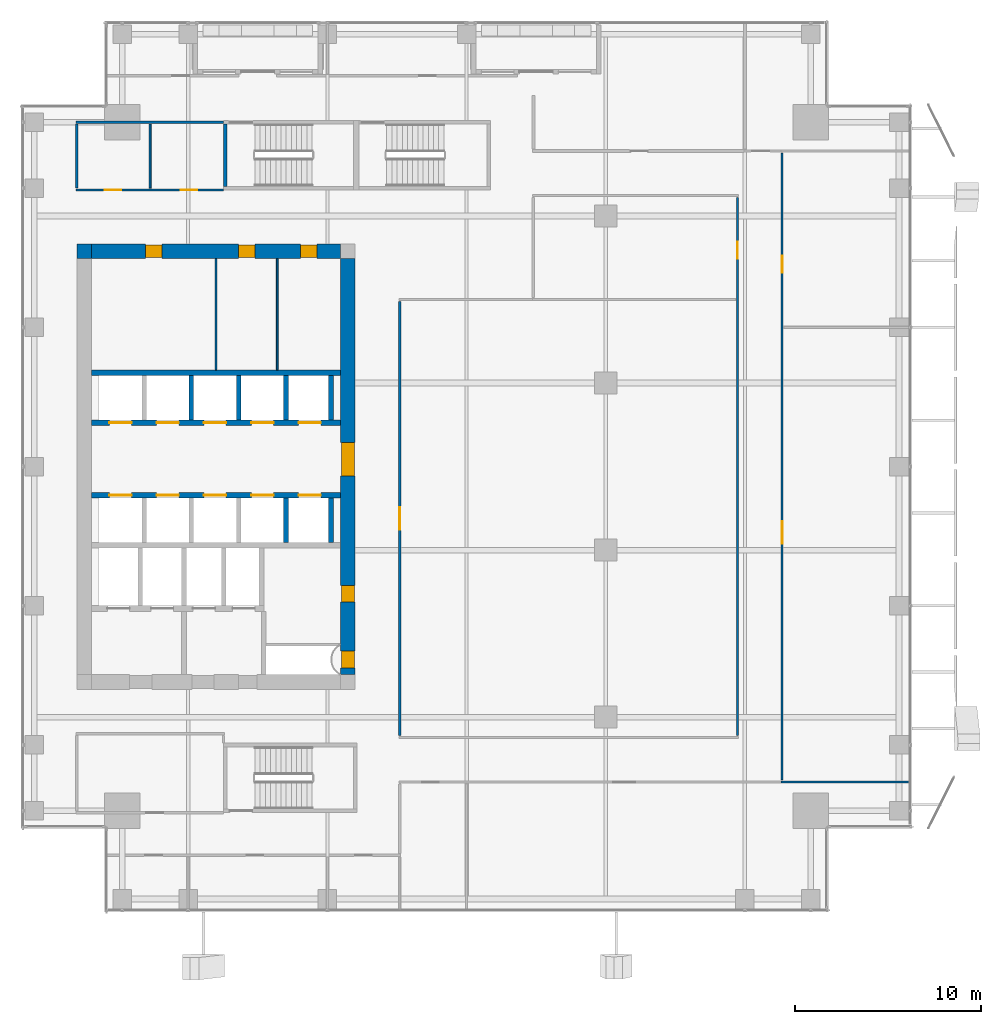
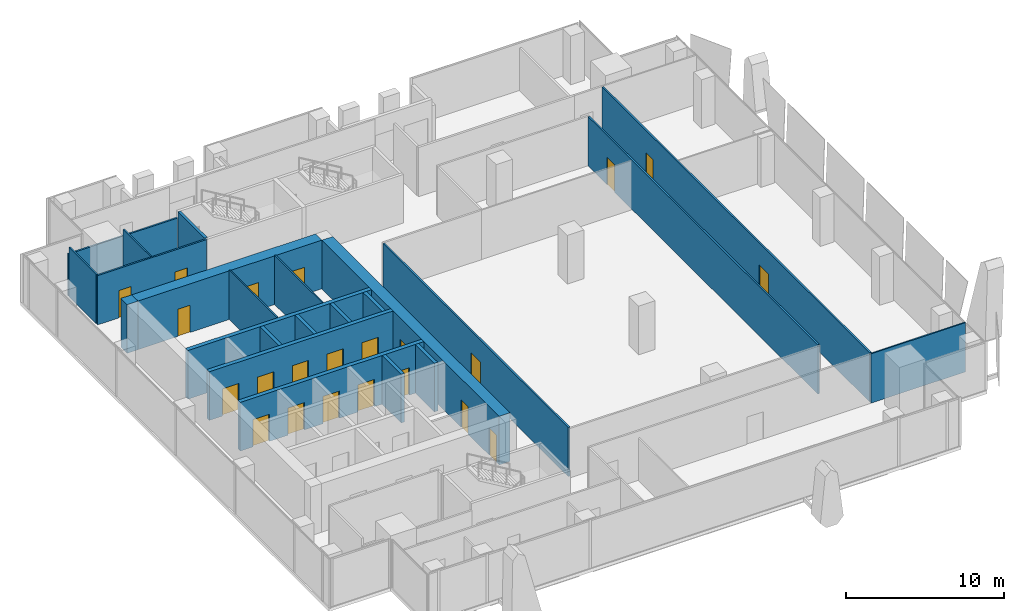
# One storey, part 33 of 38: 23 walls, 22 doors, 22 openings.
"""IFC4 building model written with IfcOpenShell, lengths in metres."""

from ifc_helpers import new_model, si_unit, direction, frame, frame_2d, origin, place, context, subcontext, project, spatial, rectangle, extrude, source, transform, mapped, material, layer, layer_set, type_object, element, fill, save


model = new_model("IFC4")

# Units and contexts
model_context = context("Model", 3, precision=1e-05, world=origin(), true_north=direction((0.0, 1.0)))
body_context = subcontext(model_context, "Body", "Model", "MODEL_VIEW")
ifc_project = project(units=[si_unit("LENGTHUNIT", "METRE"), si_unit("AREAUNIT", "SQUARE_METRE"), si_unit("VOLUMEUNIT", "CUBIC_METRE"), si_unit("PLANEANGLEUNIT", "RADIAN"), si_unit("MASSUNIT", "GRAM", prefix="KILO")], contexts=[model_context])

# Site, building, storey
site_placement = place(None, origin())
site = spatial("IfcSite", under=ifc_project, at=site_placement, CompositionType="ELEMENT")
building_placement = place(site_placement, origin())
building = spatial("IfcBuilding", under=site, at=building_placement, Name="Khomas Fold Tower", CompositionType="ELEMENT")
storey_placement = place(building_placement, frame((0.0, 0.0, 208.699951171875)))
storey = spatial("IfcBuildingStorey", under=building, at=storey_placement, Name="L46", CompositionType="ELEMENT", Elevation=208.699951171875)

# Wall, openings, doors
ifc_material_1 = material(Name="Concrete C60/75", Category="concrete")
ifc_layer_1 = layer(ifc_material_1, 0.800048828125)
ifc_layer_set_1 = layer_set([ifc_layer_1], Name="Concrete C60/75")
wall_type_1 = type_object("IfcWallType", Name="Core wall 800", PredefinedType="SHEAR", material=ifc_layer_set_1)
shared_shape_1 = source(origin(), body_context, "Body", "SweptSolid", [
    extrude(rectangle(XDim=13.39990234375, YDim=0.800048828125, at=frame_2d((6.699951171875, 0.0))), origin(), (0.0, 0.0, 1.0), 3.75),
])
wall_1_placement = place(storey_placement, frame((6.800048828125, 38.60009765625, 0.0), z_axis=(0.0, 0.0, 1.0), x_axis=(1.0, 0.0, 0.0)))
wall_1 = element("IfcWall", 1, at=wall_1_placement, inside=storey, type_object=wall_type_1, Name="Core wall CW-U-N-L35", PredefinedType="SHEAR", context=body_context, shape_type="MappedRepresentation", body=[
    mapped(shared_shape_1, transform((0.0, 0.0, 0.0))),
])
shared_shape_2 = source(origin(), body_context, "Body", "SweptSolid", [
    extrude(rectangle(XDim=0.89990234375, YDim=2.10009765625, at=frame_2d((0.449951171875, 1.050048828125))), frame((0.0, 0.409912109375, 0.0), z_axis=(0.0, -1.0, 0.0), x_axis=(1.0, 0.0, 0.0)), (0.0, 0.0, 1.0), 0.820068359375),
])
opening_1_placement = place(wall_1_placement, frame((2.89990234375, 0.0, 0.0)))
opening_1 = element("IfcOpeningElement", 2, at=opening_1_placement, cuts=wall_1, Name="Opening 0008", PredefinedType="OPENING", context=body_context, shape_type="MappedRepresentation", body=[
    mapped(shared_shape_2, transform((0.0, 0.0, 0.0))),
])
opening_2_placement = place(wall_1_placement, frame((7.89990234375, 0.0, 0.0)))
opening_2 = element("IfcOpeningElement", 3, at=opening_2_placement, cuts=wall_1, Name="Opening 0008", PredefinedType="OPENING", context=body_context, shape_type="MappedRepresentation", body=[
    mapped(shared_shape_2, transform((0.0, 0.0, 0.0))),
])
opening_3_placement = place(wall_1_placement, frame((11.25, 0.0, 0.0)))
opening_3 = element("IfcOpeningElement", 4, at=opening_3_placement, cuts=wall_1, Name="Opening 0008", PredefinedType="OPENING", context=body_context, shape_type="MappedRepresentation", body=[
    mapped(shared_shape_2, transform((0.0, 0.0, 0.0))),
])
ifc_material_2 = material(Name="Timber door leaf", Category="wood")
door_type_1 = type_object("IfcDoorType", Name="Door 900x2100 right-hand", OperationType="SINGLE_SWING_RIGHT", PredefinedType="DOOR", material=ifc_material_2)
shared_shape_3 = source(origin(), body_context, "Body", "SweptSolid", [
    extrude(rectangle(XDim=0.89990234375, YDim=2.10009765625, at=frame_2d((0.449951171875, 1.050048828125))), frame((0.0, 0.35009765625, 0.0), z_axis=(0.0, -1.0, 0.0), x_axis=(1.0, 0.0, 0.0)), (0.0, 0.0, 1.0), 0.699951171875),
])
door_1_placement = place(opening_1_placement, origin())
door_1 = element("IfcDoor", 5, at=door_1_placement, inside=storey, type_object=door_type_1, Name="Door", OperationType="SINGLE_SWING_RIGHT", OverallHeight=2.10009765625, OverallWidth=0.89990234375, PredefinedType="DOOR", context=body_context, shape_type="MappedRepresentation", body=[
    mapped(shared_shape_3, transform((0.0, 0.0, 0.0))),
])
fill(opening_1, door_1)
door_2_placement = place(opening_2_placement, origin())
door_2 = element("IfcDoor", 6, at=door_2_placement, inside=storey, type_object=door_type_1, Name="Door", OperationType="SINGLE_SWING_RIGHT", OverallHeight=2.10009765625, OverallWidth=0.89990234375, PredefinedType="DOOR", context=body_context, shape_type="MappedRepresentation", body=[
    mapped(shared_shape_3, transform((0.0, 0.0, 0.0))),
])
fill(opening_2, door_2)
door_3_placement = place(opening_3_placement, origin())
door_3 = element("IfcDoor", 7, at=door_3_placement, inside=storey, type_object=door_type_1, Name="Door", OperationType="SINGLE_SWING_RIGHT", OverallHeight=2.10009765625, OverallWidth=0.89990234375, PredefinedType="DOOR", context=body_context, shape_type="MappedRepresentation", body=[
    mapped(shared_shape_3, transform((0.0, 0.0, 0.0))),
])
fill(opening_3, door_3)

# Wall
ifc_material_3 = material(Name="Concrete C60/75", Category="concrete")
ifc_layer_2 = layer(ifc_material_3, 0.800048828125)
ifc_layer_set_2 = layer_set([ifc_layer_2], Name="Concrete C60/75")
wall_type_2 = type_object("IfcWallType", Name="Core corner wall 800", PredefinedType="SHEAR", material=ifc_layer_set_2)
shared_shape_4 = source(origin(), body_context, "Body", "SweptSolid", [
    extrude(rectangle(XDim=0.800048828125, YDim=0.800048828125, at=frame_2d((0.39990234375, 0.0))), origin(), (0.0, 0.0, 1.0), 3.75),
])
wall_2_placement = place(storey_placement, frame((6.0, 38.60009765625, 0.0), z_axis=(0.0, 0.0, 1.0), x_axis=(1.0, 0.0, 0.0)))
element("IfcWall", 8, at=wall_2_placement, inside=storey, type_object=wall_type_2, Name="Core wall CW-U-NW-L35", PredefinedType="SHEAR", context=body_context, shape_type="MappedRepresentation", body=[
    mapped(shared_shape_4, transform((0.0, 0.0, 0.0))),
])

# Wall, openings, doors
shared_shape_5 = source(origin(), body_context, "Body", "SweptSolid", [
    extrude(rectangle(XDim=22.39990234375, YDim=0.800048828125, at=frame_2d((11.199951171875, 0.0))), origin(), (0.0, 0.0, 1.0), 3.75),
])
wall_3_placement = place(storey_placement, frame((20.60009765625, 15.800048828125, 0.0), z_axis=(0.0, 0.0, 1.0), x_axis=(0.0, 1.0, 0.0)))
wall_3 = element("IfcWall", 9, at=wall_3_placement, inside=storey, type_object=wall_type_1, Name="Core wall CW-U-E-L35", PredefinedType="SHEAR", context=body_context, shape_type="MappedRepresentation", body=[
    mapped(shared_shape_5, transform((0.0, 0.0, 0.0))),
])
shared_shape_6 = source(origin(), body_context, "Body", "SweptSolid", [
    extrude(rectangle(XDim=1.800048828125, YDim=2.10009765625, at=frame_2d((0.89990234375, 1.050048828125))), frame((0.0, 0.409912109375, 0.0), z_axis=(0.0, -1.0, 0.0), x_axis=(1.0, 0.0, 0.0)), (0.0, 0.0, 1.0), 0.820068359375),
])
opening_4_placement = place(wall_3_placement, frame((10.699951171875, 0.0, 0.0)))
opening_4 = element("IfcOpeningElement", 10, at=opening_4_placement, cuts=wall_3, Name="Opening 0015", PredefinedType="OPENING", context=body_context, shape_type="MappedRepresentation", body=[
    mapped(shared_shape_6, transform((0.0, 0.0, 0.0))),
])
opening_5_placement = place(wall_3_placement, frame((0.35009765625, 0.0, 0.0)))
opening_5 = element("IfcOpeningElement", 11, at=opening_5_placement, cuts=wall_3, Name="Opening 0003", PredefinedType="OPENING", context=body_context, shape_type="MappedRepresentation", body=[
    mapped(shared_shape_2, transform((0.0, 0.0, 0.0))),
])
opening_6_placement = place(wall_3_placement, frame((3.89990234375, 0.0, 0.0)))
opening_6 = element("IfcOpeningElement", 12, at=opening_6_placement, cuts=wall_3, Name="Opening 0008", PredefinedType="OPENING", context=body_context, shape_type="MappedRepresentation", body=[
    mapped(shared_shape_2, transform((0.0, 0.0, 0.0))),
])
ifc_material_4 = material(Name="Steel door leaf", Category="steel")
door_type_2 = type_object("IfcDoorType", Name="Lobby door 1800x2100", OperationType="DOUBLE_DOOR_SINGLE_SWING", PredefinedType="DOOR", material=ifc_material_4)
shared_shape_7 = source(origin(), body_context, "Body", "SweptSolid", [
    extrude(rectangle(XDim=1.800048828125, YDim=2.10009765625, at=frame_2d((0.89990234375, 1.050048828125))), frame((0.0, 0.35009765625, 0.0), z_axis=(0.0, -1.0, 0.0), x_axis=(1.0, 0.0, 0.0)), (0.0, 0.0, 1.0), 0.699951171875),
])
door_4_placement = place(opening_4_placement, origin())
door_4 = element("IfcDoor", 13, at=door_4_placement, inside=storey, type_object=door_type_2, Name="Lobby door", OperationType="DOUBLE_DOOR_SINGLE_SWING", OverallHeight=2.10009765625, OverallWidth=1.800048828125, PredefinedType="DOOR", context=body_context, shape_type="MappedRepresentation", body=[
    mapped(shared_shape_7, transform((0.0, 0.0, 0.0))),
])
fill(opening_4, door_4)
ifc_material_5 = material(Name="Steel door leaf", Category="steel")
door_type_3 = type_object("IfcDoorType", Name="Plant room door 900x2100 right-hand", OperationType="SINGLE_SWING_RIGHT", PredefinedType="DOOR", material=ifc_material_5)
door_5_placement = place(opening_5_placement, origin())
door_5 = element("IfcDoor", 14, at=door_5_placement, inside=storey, type_object=door_type_3, Name="Plant room door", OperationType="SINGLE_SWING_RIGHT", OverallHeight=2.10009765625, OverallWidth=0.89990234375, PredefinedType="DOOR", context=body_context, shape_type="MappedRepresentation", body=[
    mapped(shared_shape_3, transform((0.0, 0.0, 0.0))),
])
fill(opening_5, door_5)
door_6_placement = place(opening_6_placement, origin())
door_6 = element("IfcDoor", 15, at=door_6_placement, inside=storey, type_object=door_type_1, Name="Door", OperationType="SINGLE_SWING_RIGHT", OverallHeight=2.10009765625, OverallWidth=0.89990234375, PredefinedType="DOOR", context=body_context, shape_type="MappedRepresentation", body=[
    mapped(shared_shape_3, transform((0.0, 0.0, 0.0))),
])
fill(opening_6, door_6)

# Walls
ifc_material_6 = material(Name="Concrete C50/60", Category="concrete")
ifc_layer_3 = layer(ifc_material_6, 0.199951171875)
ifc_layer_set_3 = layer_set([ifc_layer_3], Name="Concrete C50/60")
wall_type_3 = type_object("IfcWallType", Name="Stair wall 200", PredefinedType="SHEAR", material=ifc_layer_set_3)
shared_shape_8 = source(origin(), body_context, "Body", "SweptSolid", [
    extrude(rectangle(XDim=3.349853515625, YDim=0.199951171875, at=frame_2d((1.6748046875, 0.0))), origin(), (0.0, 0.0, 1.0), 3.75),
])
wall_4_placement = place(storey_placement, frame((14.0, 42.10009765625, 0.0), z_axis=(0.0, 0.0, 1.0), x_axis=(0.0, 1.0, 0.0)))
element("IfcWall", 16, at=wall_4_placement, inside=storey, type_object=wall_type_3, Name="Stair wall SW-ST1-W", PredefinedType="SHEAR", context=body_context, shape_type="MappedRepresentation", body=[
    mapped(shared_shape_8, transform((0.0, 0.0, 0.0))),
])
ifc_material_7 = material(Name="Concrete C50/60", Category="concrete")
ifc_layer_4 = layer(ifc_material_7, 0.300048828125)
ifc_layer_set_4 = layer_set([ifc_layer_4], Name="Concrete C50/60")
wall_type_4 = type_object("IfcWallType", Name="Shaft wall 300", PredefinedType="STANDARD", material=ifc_layer_set_4)
shared_shape_9 = source(origin(), body_context, "Body", "SweptSolid", [
    extrude(rectangle(XDim=13.39990234375, YDim=0.300048828125, at=frame_2d((6.699951171875, 0.0))), origin(), (0.0, 0.0, 1.0), 3.75),
])
wall_5_placement = place(storey_placement, frame((6.800048828125, 32.050048828125, 0.0), z_axis=(0.0, 0.0, 1.0), x_axis=(1.0, 0.0, 0.0)))
element("IfcWall", 17, at=wall_5_placement, inside=storey, type_object=wall_type_4, Name="Core wall SW-HRN-B", PredefinedType="STANDARD", context=body_context, shape_type="MappedRepresentation", body=[
    mapped(shared_shape_9, transform((0.0, 0.0, 0.0))),
])

# Wall, openings, doors
wall_6_placement = place(storey_placement, frame((6.800048828125, 29.35009765625, 0.0), z_axis=(0.0, 0.0, 1.0), x_axis=(1.0, 0.0, 0.0)))
wall_6 = element("IfcWall", 18, at=wall_6_placement, inside=storey, type_object=wall_type_4, Name="Core wall SW-HRN-F", PredefinedType="STANDARD", context=body_context, shape_type="MappedRepresentation", body=[
    mapped(shared_shape_9, transform((0.0, 0.0, 0.0))),
])
shared_shape_10 = source(origin(), body_context, "Body", "SweptSolid", [
    extrude(rectangle(XDim=1.199951171875, YDim=2.10009765625, at=frame_2d((0.60009765625, 1.050048828125))), frame((0.0, 0.159912109375, 0.0), z_axis=(0.0, -1.0, 0.0), x_axis=(1.0, 0.0, 0.0)), (0.0, 0.0, 1.0), 0.320068359375),
])
opening_7_placement = place(wall_6_placement, frame((0.949951171875, 0.0, 0.0)))
opening_7 = element("IfcOpeningElement", 19, at=opening_7_placement, cuts=wall_6, Name="Opening LD-HR4", PredefinedType="OPENING", context=body_context, shape_type="MappedRepresentation", body=[
    mapped(shared_shape_10, transform((0.0, 0.0, 0.0))),
])
opening_8_placement = place(wall_6_placement, frame((3.5, 0.0, 0.0)))
opening_8 = element("IfcOpeningElement", 20, at=opening_8_placement, cuts=wall_6, Name="Opening LD-HR5", PredefinedType="OPENING", context=body_context, shape_type="MappedRepresentation", body=[
    mapped(shared_shape_10, transform((0.0, 0.0, 0.0))),
])
opening_9_placement = place(wall_6_placement, frame((6.050048828125, 0.0, 0.0)))
opening_9 = element("IfcOpeningElement", 21, at=opening_9_placement, cuts=wall_6, Name="Opening LD-HR6", PredefinedType="OPENING", context=body_context, shape_type="MappedRepresentation", body=[
    mapped(shared_shape_10, transform((0.0, 0.0, 0.0))),
])
opening_10_placement = place(wall_6_placement, frame((8.60009765625, 0.0, 0.0)))
opening_10 = element("IfcOpeningElement", 22, at=opening_10_placement, cuts=wall_6, Name="Opening LD-MR3", PredefinedType="OPENING", context=body_context, shape_type="MappedRepresentation", body=[
    mapped(shared_shape_10, transform((0.0, 0.0, 0.0))),
])
opening_11_placement = place(wall_6_placement, frame((11.14990234375, 0.0, 0.0)))
opening_11 = element("IfcOpeningElement", 23, at=opening_11_placement, cuts=wall_6, Name="Opening LD-MR4", PredefinedType="OPENING", context=body_context, shape_type="MappedRepresentation", body=[
    mapped(shared_shape_10, transform((0.0, 0.0, 0.0))),
])
ifc_material_8 = material(Name="Steel door leaf", Category="steel")
door_type_4 = type_object("IfcDoorType", Name="Landing door 1200x2100", OperationType="DOUBLE_DOOR_SLIDING", PredefinedType="DOOR", material=ifc_material_8)
shared_shape_11 = source(origin(), body_context, "Body", "SweptSolid", [
    extrude(rectangle(XDim=1.199951171875, YDim=2.10009765625, at=frame_2d((0.60009765625, 1.050048828125))), frame((0.0, 0.02490234375, 0.0), z_axis=(0.0, -1.0, 0.0), x_axis=(1.0, 0.0, 0.0)), (0.0, 0.0, 1.0), 0.050048828125),
])
door_7_placement = place(opening_7_placement, origin())
door_7 = element("IfcDoor", 24, at=door_7_placement, inside=storey, type_object=door_type_4, Name="Lift landing door", OperationType="DOUBLE_DOOR_SLIDING", OverallHeight=2.10009765625, OverallWidth=1.199951171875, PredefinedType="DOOR", context=body_context, shape_type="MappedRepresentation", body=[
    mapped(shared_shape_11, transform((0.0, 0.0, 0.0))),
])
fill(opening_7, door_7)
door_8_placement = place(opening_8_placement, origin())
door_8 = element("IfcDoor", 25, at=door_8_placement, inside=storey, type_object=door_type_4, Name="Lift landing door", OperationType="DOUBLE_DOOR_SLIDING", OverallHeight=2.10009765625, OverallWidth=1.199951171875, PredefinedType="DOOR", context=body_context, shape_type="MappedRepresentation", body=[
    mapped(shared_shape_11, transform((0.0, 0.0, 0.0))),
])
fill(opening_8, door_8)
door_9_placement = place(opening_9_placement, origin())
door_9 = element("IfcDoor", 26, at=door_9_placement, inside=storey, type_object=door_type_4, Name="Lift landing door", OperationType="DOUBLE_DOOR_SLIDING", OverallHeight=2.10009765625, OverallWidth=1.199951171875, PredefinedType="DOOR", context=body_context, shape_type="MappedRepresentation", body=[
    mapped(shared_shape_11, transform((0.0, 0.0, 0.0))),
])
fill(opening_9, door_9)
door_10_placement = place(opening_10_placement, origin())
door_10 = element("IfcDoor", 27, at=door_10_placement, inside=storey, type_object=door_type_4, Name="Lift landing door", OperationType="DOUBLE_DOOR_SLIDING", OverallHeight=2.10009765625, OverallWidth=1.199951171875, PredefinedType="DOOR", context=body_context, shape_type="MappedRepresentation", body=[
    mapped(shared_shape_11, transform((0.0, 0.0, 0.0))),
])
fill(opening_10, door_10)
door_11_placement = place(opening_11_placement, origin())
door_11 = element("IfcDoor", 28, at=door_11_placement, inside=storey, type_object=door_type_4, Name="Lift landing door", OperationType="DOUBLE_DOOR_SLIDING", OverallHeight=2.10009765625, OverallWidth=1.199951171875, PredefinedType="DOOR", context=body_context, shape_type="MappedRepresentation", body=[
    mapped(shared_shape_11, transform((0.0, 0.0, 0.0))),
])
fill(opening_11, door_11)

wall_7_placement = place(storey_placement, frame((6.800048828125, 25.449951171875, 0.0), z_axis=(0.0, 0.0, 1.0), x_axis=(1.0, 0.0, 0.0)))
wall_7 = element("IfcWall", 29, at=wall_7_placement, inside=storey, type_object=wall_type_4, Name="Core wall SW-HRS-F", PredefinedType="STANDARD", context=body_context, shape_type="MappedRepresentation", body=[
    mapped(shared_shape_9, transform((0.0, 0.0, 0.0))),
])
opening_12_placement = place(wall_7_placement, frame((0.949951171875, 0.0, 0.0)))
opening_12 = element("IfcOpeningElement", 30, at=opening_12_placement, cuts=wall_7, Name="Opening LD-HR1", PredefinedType="OPENING", context=body_context, shape_type="MappedRepresentation", body=[
    mapped(shared_shape_10, transform((0.0, 0.0, 0.0))),
])
opening_13_placement = place(wall_7_placement, frame((3.5, 0.0, 0.0)))
opening_13 = element("IfcOpeningElement", 31, at=opening_13_placement, cuts=wall_7, Name="Opening LD-HR2", PredefinedType="OPENING", context=body_context, shape_type="MappedRepresentation", body=[
    mapped(shared_shape_10, transform((0.0, 0.0, 0.0))),
])
opening_14_placement = place(wall_7_placement, frame((6.050048828125, 0.0, 0.0)))
opening_14 = element("IfcOpeningElement", 32, at=opening_14_placement, cuts=wall_7, Name="Opening LD-HR3", PredefinedType="OPENING", context=body_context, shape_type="MappedRepresentation", body=[
    mapped(shared_shape_10, transform((0.0, 0.0, 0.0))),
])
opening_15_placement = place(wall_7_placement, frame((8.60009765625, 0.0, 0.0)))
opening_15 = element("IfcOpeningElement", 33, at=opening_15_placement, cuts=wall_7, Name="Opening LD-MR1", PredefinedType="OPENING", context=body_context, shape_type="MappedRepresentation", body=[
    mapped(shared_shape_10, transform((0.0, 0.0, 0.0))),
])
opening_16_placement = place(wall_7_placement, frame((11.14990234375, 0.0, 0.0)))
opening_16 = element("IfcOpeningElement", 34, at=opening_16_placement, cuts=wall_7, Name="Opening LD-MR2", PredefinedType="OPENING", context=body_context, shape_type="MappedRepresentation", body=[
    mapped(shared_shape_10, transform((0.0, 0.0, 0.0))),
])
door_12_placement = place(opening_12_placement, origin())
door_12 = element("IfcDoor", 35, at=door_12_placement, inside=storey, type_object=door_type_4, Name="Lift landing door", OperationType="DOUBLE_DOOR_SLIDING", OverallHeight=2.10009765625, OverallWidth=1.199951171875, PredefinedType="DOOR", context=body_context, shape_type="MappedRepresentation", body=[
    mapped(shared_shape_11, transform((0.0, 0.0, 0.0))),
])
fill(opening_12, door_12)
door_13_placement = place(opening_13_placement, origin())
door_13 = element("IfcDoor", 36, at=door_13_placement, inside=storey, type_object=door_type_4, Name="Lift landing door", OperationType="DOUBLE_DOOR_SLIDING", OverallHeight=2.10009765625, OverallWidth=1.199951171875, PredefinedType="DOOR", context=body_context, shape_type="MappedRepresentation", body=[
    mapped(shared_shape_11, transform((0.0, 0.0, 0.0))),
])
fill(opening_13, door_13)
door_14_placement = place(opening_14_placement, origin())
door_14 = element("IfcDoor", 37, at=door_14_placement, inside=storey, type_object=door_type_4, Name="Lift landing door", OperationType="DOUBLE_DOOR_SLIDING", OverallHeight=2.10009765625, OverallWidth=1.199951171875, PredefinedType="DOOR", context=body_context, shape_type="MappedRepresentation", body=[
    mapped(shared_shape_11, transform((0.0, 0.0, 0.0))),
])
fill(opening_14, door_14)
door_15_placement = place(opening_15_placement, origin())
door_15 = element("IfcDoor", 38, at=door_15_placement, inside=storey, type_object=door_type_4, Name="Lift landing door", OperationType="DOUBLE_DOOR_SLIDING", OverallHeight=2.10009765625, OverallWidth=1.199951171875, PredefinedType="DOOR", context=body_context, shape_type="MappedRepresentation", body=[
    mapped(shared_shape_11, transform((0.0, 0.0, 0.0))),
])
fill(opening_15, door_15)
door_16_placement = place(opening_16_placement, origin())
door_16 = element("IfcDoor", 39, at=door_16_placement, inside=storey, type_object=door_type_4, Name="Lift landing door", OperationType="DOUBLE_DOOR_SLIDING", OverallHeight=2.10009765625, OverallWidth=1.199951171875, PredefinedType="DOOR", context=body_context, shape_type="MappedRepresentation", body=[
    mapped(shared_shape_11, transform((0.0, 0.0, 0.0))),
])
fill(opening_16, door_16)

# Walls
ifc_material_9 = material(Name="Concrete C50/60", Category="concrete")
ifc_layer_5 = layer(ifc_material_9, 0.25)
ifc_layer_set_5 = layer_set([ifc_layer_5], Name="Concrete C50/60")
wall_type_5 = type_object("IfcWallType", Name="Shaft wall 250", PredefinedType="STANDARD", material=ifc_layer_set_5)
shared_shape_12 = source(origin(), body_context, "Body", "SweptSolid", [
    extrude(rectangle(XDim=2.39990234375, YDim=0.25, at=frame_2d((1.199951171875, 0.0))), origin(), (0.0, 0.0, 1.0), 3.75),
])
for number, where, z_axis, x_axis, name in (
    (40, (17.27490234375, 29.5, 0.0), (0.0, 0.0, 1.0), (0.0, 1.0, 0.0), "Core wall SW-HRN-MR-P1"),
    (41, (19.699951171875, 29.5, 0.0), (0.0, 0.0, 1.0), (0.0, 1.0, 0.0), "Core wall SW-HRN-MR-PE"),
    (42, (12.175048828125, 29.5, 0.0), (0.0, 0.0, 1.0), (0.0, 1.0, 0.0), "Core wall SW-HRN-P2"),
    (43, (14.72509765625, 29.5, 0.0), (0.0, 0.0, 1.0), (0.0, 1.0, 0.0), "Core wall SW-HRN-PE"),
):
    element("IfcWall", number, at=place(storey_placement, frame(where, z_axis=z_axis, x_axis=x_axis)), inside=storey, type_object=wall_type_5, Name=name, PredefinedType="STANDARD", context=body_context, shape_type="MappedRepresentation", body=[
        mapped(shared_shape_12, transform((0.0, 0.0, 0.0))),
    ])
shared_shape_13 = source(origin(), body_context, "Body", "SweptSolid", [
    extrude(rectangle(XDim=2.400146484375, YDim=0.25, at=frame_2d((1.2001953125, 0.0))), origin(), (0.0, 0.0, 1.0), 3.75),
])
for number, where, z_axis, x_axis, name in (
    (44, (17.27490234375, 22.89990234375, 0.0), (0.0, 0.0, 1.0), (0.0, 1.0, 0.0), "Core wall SW-HRS-MR-P1"),
    (45, (19.699951171875, 22.89990234375, 0.0), (0.0, 0.0, 1.0), (0.0, 1.0, 0.0), "Core wall SW-HRS-MR-PE"),
):
    element("IfcWall", number, at=place(storey_placement, frame(where, z_axis=z_axis, x_axis=x_axis)), inside=storey, type_object=wall_type_5, Name=name, PredefinedType="STANDARD", context=body_context, shape_type="MappedRepresentation", body=[
        mapped(shared_shape_13, transform((0.0, 0.0, 0.0))),
    ])
ifc_material_10 = material(Name="Plasterboard partition")
ifc_layer_6 = layer(ifc_material_10, 0.125)
ifc_layer_set_6 = layer_set([ifc_layer_6], Name="Plasterboard partition")
wall_type_6 = type_object("IfcWallType", Name="Partition PW2 125", PredefinedType="PARTITIONING", material=ifc_layer_set_6)
shared_shape_14 = source(origin(), body_context, "Body", "SweptSolid", [
    extrude(rectangle(XDim=7.949951171875, YDim=0.125, at=frame_2d((3.97509765625, 0.0))), origin(), (0.0, 0.0, 1.0), 3.25),
])
wall_8_placement = place(storey_placement, frame((5.949951171875, 45.550048828125, 0.0), z_axis=(0.0, 0.0, 1.0), x_axis=(1.0, 0.0, 0.0)))
element("IfcWall", 46, at=wall_8_placement, inside=storey, type_object=wall_type_6, Name="Partition", PredefinedType="PARTITIONING", context=body_context, shape_type="MappedRepresentation", body=[
    mapped(shared_shape_14, transform((0.0, 0.0, 0.0))),
])
ifc_material_11 = material(Name="Plasterboard partition")
ifc_layer_7 = layer(ifc_material_11, 0.10009765625)
ifc_layer_set_7 = layer_set([ifc_layer_7], Name="Plasterboard partition")
wall_type_7 = type_object("IfcWallType", Name="Partition PW1 100", PredefinedType="PARTITIONING", material=ifc_layer_set_7)
shared_shape_15 = source(origin(), body_context, "Body", "SweptSolid", [
    extrude(rectangle(XDim=6.0, YDim=0.10009765625, at=frame_2d((3.0, 0.0))), origin(), (0.0, 0.0, 1.0), 3.800048828125),
])
for number, where, z_axis, x_axis, name in (
    (47, (13.5, 32.199951171875, 0.0), (0.0, 0.0, 1.0), (0.0, 1.0, 0.0), "Partition"),
    (48, (16.800048828125, 32.199951171875, 0.0), (0.0, 0.0, 1.0), (0.0, 1.0, 0.0), "Partition"),
):
    element("IfcWall", number, at=place(storey_placement, frame(where, z_axis=z_axis, x_axis=x_axis)), inside=storey, type_object=wall_type_7, Name=name, PredefinedType="PARTITIONING", context=body_context, shape_type="MappedRepresentation", body=[
        mapped(shared_shape_15, transform((0.0, 0.0, 0.0))),
    ])

# Wall, openings, doors
shared_shape_16 = source(origin(), body_context, "Body", "SweptSolid", [
    extrude(rectangle(XDim=7.949951171875, YDim=0.125, at=frame_2d((3.97509765625, 0.0))), origin(), (0.0, 0.0, 1.0), 3.800048828125),
])
wall_9_placement = place(storey_placement, frame((5.949951171875, 41.89990234375, 0.0), z_axis=(0.0, 0.0, 1.0), x_axis=(1.0, 0.0, 0.0)))
wall_9 = element("IfcWall", 49, at=wall_9_placement, inside=storey, type_object=wall_type_6, Name="Partition", PredefinedType="PARTITIONING", context=body_context, shape_type="MappedRepresentation", body=[
    mapped(shared_shape_16, transform((0.0, 0.0, 0.0))),
])
shared_shape_17 = source(origin(), body_context, "Body", "SweptSolid", [
    extrude(rectangle(XDim=0.89990234375, YDim=2.10009765625, at=frame_2d((0.449951171875, 1.050048828125))), frame((0.0, 0.072509765625, 0.0), z_axis=(0.0, -1.0, 0.0), x_axis=(1.0, 0.0, 0.0)), (0.0, 0.0, 1.0), 0.14501953125),
])
opening_17_placement = place(wall_9_placement, frame((1.550048828125, 0.0, 0.0)))
opening_17 = element("IfcOpeningElement", 50, at=opening_17_placement, cuts=wall_9, Name="Opening 0004", PredefinedType="OPENING", context=body_context, shape_type="MappedRepresentation", body=[
    mapped(shared_shape_17, transform((0.0, 0.0, 0.0))),
])
opening_18_placement = place(wall_9_placement, frame((5.64990234375, 0.0, 0.0)))
opening_18 = element("IfcOpeningElement", 51, at=opening_18_placement, cuts=wall_9, Name="Opening 0005", PredefinedType="OPENING", context=body_context, shape_type="MappedRepresentation", body=[
    mapped(shared_shape_17, transform((0.0, 0.0, 0.0))),
])
ifc_material_12 = material(Name="Timber door leaf", Category="wood")
door_type_5 = type_object("IfcDoorType", Name="WC door 900x2100 right-hand", OperationType="SINGLE_SWING_RIGHT", PredefinedType="DOOR", material=ifc_material_12)
shared_shape_18 = source(origin(), body_context, "Body", "SweptSolid", [
    extrude(rectangle(XDim=0.89990234375, YDim=2.10009765625, at=frame_2d((0.449951171875, 1.050048828125))), frame((0.0, 0.02490234375, 0.0), z_axis=(0.0, -1.0, 0.0), x_axis=(1.0, 0.0, 0.0)), (0.0, 0.0, 1.0), 0.050048828125),
])
door_17_placement = place(opening_17_placement, origin())
door_17 = element("IfcDoor", 52, at=door_17_placement, inside=storey, type_object=door_type_5, Name="WC door", OperationType="SINGLE_SWING_RIGHT", OverallHeight=2.10009765625, OverallWidth=0.89990234375, PredefinedType="DOOR", context=body_context, shape_type="MappedRepresentation", body=[
    mapped(shared_shape_18, transform((0.0, 0.0, 0.0))),
])
fill(opening_17, door_17)
ifc_material_13 = material(Name="Timber door leaf", Category="wood")
door_type_6 = type_object("IfcDoorType", Name="WC door 900x2100 left-hand", OperationType="SINGLE_SWING_LEFT", PredefinedType="DOOR", material=ifc_material_13)
door_18_placement = place(opening_18_placement, origin())
door_18 = element("IfcDoor", 53, at=door_18_placement, inside=storey, type_object=door_type_6, Name="WC door", OperationType="SINGLE_SWING_LEFT", OverallHeight=2.10009765625, OverallWidth=0.89990234375, PredefinedType="DOOR", context=body_context, shape_type="MappedRepresentation", body=[
    mapped(shared_shape_18, transform((0.0, 0.0, 0.0))),
])
fill(opening_18, door_18)

# Walls
shared_shape_19 = source(origin(), body_context, "Body", "SweptSolid", [
    extrude(rectangle(XDim=3.449951171875, YDim=0.125, at=frame_2d((1.72509765625, 0.0))), origin(), (0.0, 0.0, 1.0), 3.800048828125),
])
wall_10_placement = place(storey_placement, frame((6.0, 42.0, 0.0), z_axis=(0.0, 0.0, 1.0), x_axis=(0.0, 1.0, 0.0)))
element("IfcWall", 54, at=wall_10_placement, inside=storey, type_object=wall_type_6, Name="Partition", PredefinedType="PARTITIONING", context=body_context, shape_type="MappedRepresentation", body=[
    mapped(shared_shape_19, transform((0.0, 0.0, 0.0))),
])
shared_shape_20 = source(origin(), body_context, "Body", "SweptSolid", [
    extrude(rectangle(XDim=3.449951171875, YDim=0.10009765625, at=frame_2d((1.72509765625, 0.0))), origin(), (0.0, 0.0, 1.0), 3.800048828125),
])
wall_11_placement = place(storey_placement, frame((9.949951171875, 42.0, 0.0), z_axis=(0.0, 0.0, 1.0), x_axis=(0.0, 1.0, 0.0)))
element("IfcWall", 55, at=wall_11_placement, inside=storey, type_object=wall_type_7, Name="Partition", PredefinedType="PARTITIONING", context=body_context, shape_type="MappedRepresentation", body=[
    mapped(shared_shape_20, transform((0.0, 0.0, 0.0))),
])
shared_shape_21 = source(origin(), body_context, "Body", "SweptSolid", [
    extrude(rectangle(XDim=6.900146484375, YDim=0.10009765625, at=frame_2d((3.4501953125, 0.0))), origin(), (0.0, 0.0, 1.0), 3.800048828125),
])
wall_12_placement = place(storey_placement, frame((43.949951171875, 10.0, 0.0), z_axis=(0.0, 0.0, 1.0), x_axis=(1.0, 0.0, 0.0)))
element("IfcWall", 56, at=wall_12_placement, inside=storey, type_object=wall_type_7, Name="Partition", PredefinedType="PARTITIONING", context=body_context, shape_type="MappedRepresentation", body=[
    mapped(shared_shape_21, transform((0.0, 0.0, 0.0))),
])

# Wall, openings, doors
shared_shape_22 = source(origin(), body_context, "Body", "SweptSolid", [
    extrude(rectangle(XDim=33.7998046875, YDim=0.125, at=frame_2d((16.89990234375, 0.0))), origin(), (0.0, 0.0, 1.0), 3.800048828125),
])
wall_13_placement = place(storey_placement, frame((44.0, 10.10009765625, 0.0), z_axis=(0.0, 0.0, 1.0), x_axis=(0.0, 1.0, 0.0)))
wall_13 = element("IfcWall", 57, at=wall_13_placement, inside=storey, type_object=wall_type_6, Name="Partition", PredefinedType="PARTITIONING", context=body_context, shape_type="MappedRepresentation", body=[
    mapped(shared_shape_22, transform((0.0, 0.0, 0.0))),
])
shared_shape_23 = source(origin(), body_context, "Body", "SweptSolid", [
    extrude(rectangle(XDim=1.199951171875, YDim=2.10009765625, at=frame_2d((0.60009765625, 1.050048828125))), frame((0.0, 0.072509765625, 0.0), z_axis=(0.0, -1.0, 0.0), x_axis=(1.0, 0.0, 0.0)), (0.0, 0.0, 1.0), 0.14501953125),
])
opening_19_placement = place(wall_13_placement, frame((12.75, 0.0, 0.0)))
opening_19 = element("IfcOpeningElement", 58, at=opening_19_placement, cuts=wall_13, Name="Opening 0013", PredefinedType="OPENING", context=body_context, shape_type="MappedRepresentation", body=[
    mapped(shared_shape_23, transform((0.0, 0.0, 0.0))),
])
opening_20_placement = place(wall_13_placement, frame((27.35009765625, 0.0, 0.0)))
opening_20 = element("IfcOpeningElement", 59, at=opening_20_placement, cuts=wall_13, Name="Opening 0007", PredefinedType="OPENING", context=body_context, shape_type="MappedRepresentation", body=[
    mapped(shared_shape_17, transform((0.0, 0.0, 0.0))),
])
ifc_material_14 = material(Name="Timber door leaf", Category="wood")
door_type_7 = type_object("IfcDoorType", Name="Door 900x2100 left-hand", OperationType="SINGLE_SWING_LEFT", PredefinedType="DOOR", material=ifc_material_14)
door_19_placement = place(opening_20_placement, origin())
door_19 = element("IfcDoor", 60, at=door_19_placement, inside=storey, type_object=door_type_7, Name="Door", OperationType="SINGLE_SWING_LEFT", OverallHeight=2.10009765625, OverallWidth=0.89990234375, PredefinedType="DOOR", context=body_context, shape_type="MappedRepresentation", body=[
    mapped(shared_shape_18, transform((0.0, 0.0, 0.0))),
])
fill(opening_20, door_19)
ifc_material_15 = material(Name="Timber door leaf", Category="wood")
door_type_8 = type_object("IfcDoorType", Name="Door 1200x2100 left-hand", OperationType="SINGLE_SWING_LEFT", PredefinedType="DOOR", material=ifc_material_15)
door_20_placement = place(opening_19_placement, origin())
door_20 = element("IfcDoor", 61, at=door_20_placement, inside=storey, type_object=door_type_8, Name="Door", OperationType="SINGLE_SWING_LEFT", OverallHeight=2.10009765625, OverallWidth=1.199951171875, PredefinedType="DOOR", context=body_context, shape_type="MappedRepresentation", body=[
    mapped(shared_shape_11, transform((0.0, 0.0, 0.0))),
])
fill(opening_19, door_20)

# Wall, opening, door
shared_shape_24 = source(origin(), body_context, "Body", "SweptSolid", [
    extrude(rectangle(XDim=23.39990234375, YDim=0.125, at=frame_2d((11.699951171875, 0.0))), origin(), (0.0, 0.0, 1.0), 3.800048828125),
])
wall_14_placement = place(storey_placement, frame((23.39990234375, 12.5, 0.0), z_axis=(0.0, 0.0, 1.0), x_axis=(0.0, 1.0, 0.0)))
wall_14 = element("IfcWall", 62, at=wall_14_placement, inside=storey, type_object=wall_type_6, Name="Partition", PredefinedType="PARTITIONING", context=body_context, shape_type="MappedRepresentation", body=[
    mapped(shared_shape_24, transform((0.0, 0.0, 0.0))),
])
opening_21_placement = place(wall_14_placement, frame((11.10009765625, 0.0, 0.0)))
opening_21 = element("IfcOpeningElement", 63, at=opening_21_placement, cuts=wall_14, Name="Opening 0013", PredefinedType="OPENING", context=body_context, shape_type="MappedRepresentation", body=[
    mapped(shared_shape_23, transform((0.0, 0.0, 0.0))),
])
door_21_placement = place(opening_21_placement, origin())
door_21 = element("IfcDoor", 64, at=door_21_placement, inside=storey, type_object=door_type_8, Name="Door", OperationType="SINGLE_SWING_LEFT", OverallHeight=2.10009765625, OverallWidth=1.199951171875, PredefinedType="DOOR", context=body_context, shape_type="MappedRepresentation", body=[
    mapped(shared_shape_11, transform((0.0, 0.0, 0.0))),
])
fill(opening_21, door_21)

shared_shape_25 = source(origin(), body_context, "Body", "SweptSolid", [
    extrude(rectangle(XDim=29.0, YDim=0.125, at=frame_2d((14.5, 0.0))), origin(), (0.0, 0.0, 1.0), 3.800048828125),
])
wall_15_placement = place(storey_placement, frame((41.60009765625, 12.5, 0.0), z_axis=(0.0, 0.0, 1.0), x_axis=(0.0, 1.0, 0.0)))
wall_15 = element("IfcWall", 65, at=wall_15_placement, inside=storey, type_object=wall_type_6, Name="Partition", PredefinedType="PARTITIONING", context=body_context, shape_type="MappedRepresentation", body=[
    mapped(shared_shape_25, transform((0.0, 0.0, 0.0))),
])
opening_22_placement = place(wall_15_placement, frame((25.699951171875, 0.0, 0.0)))
opening_22 = element("IfcOpeningElement", 66, at=opening_22_placement, cuts=wall_15, Name="Opening 0008", PredefinedType="OPENING", context=body_context, shape_type="MappedRepresentation", body=[
    mapped(shared_shape_17, transform((0.0, 0.0, 0.0))),
])
door_22_placement = place(opening_22_placement, origin())
door_22 = element("IfcDoor", 67, at=door_22_placement, inside=storey, type_object=door_type_1, Name="Door", OperationType="SINGLE_SWING_RIGHT", OverallHeight=2.10009765625, OverallWidth=0.89990234375, PredefinedType="DOOR", context=body_context, shape_type="MappedRepresentation", body=[
    mapped(shared_shape_18, transform((0.0, 0.0, 0.0))),
])
fill(opening_22, door_22)

save(model, "model.ifc")
